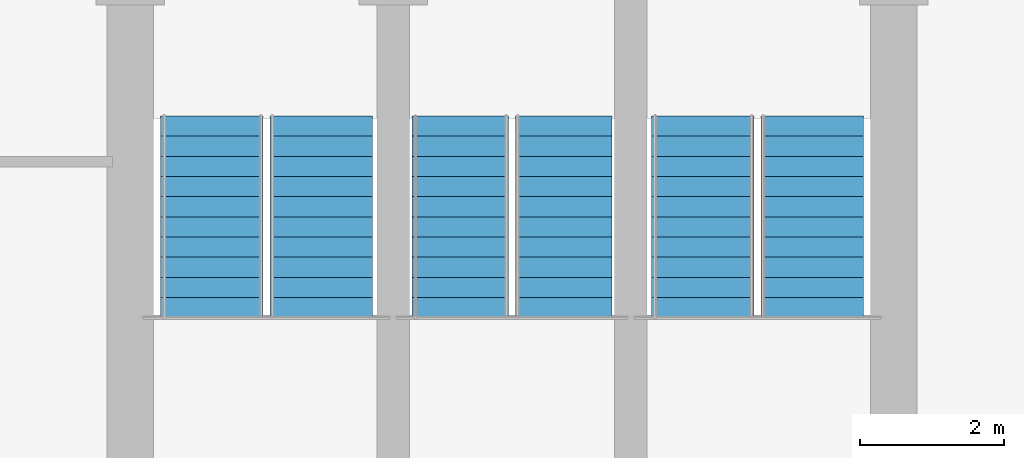
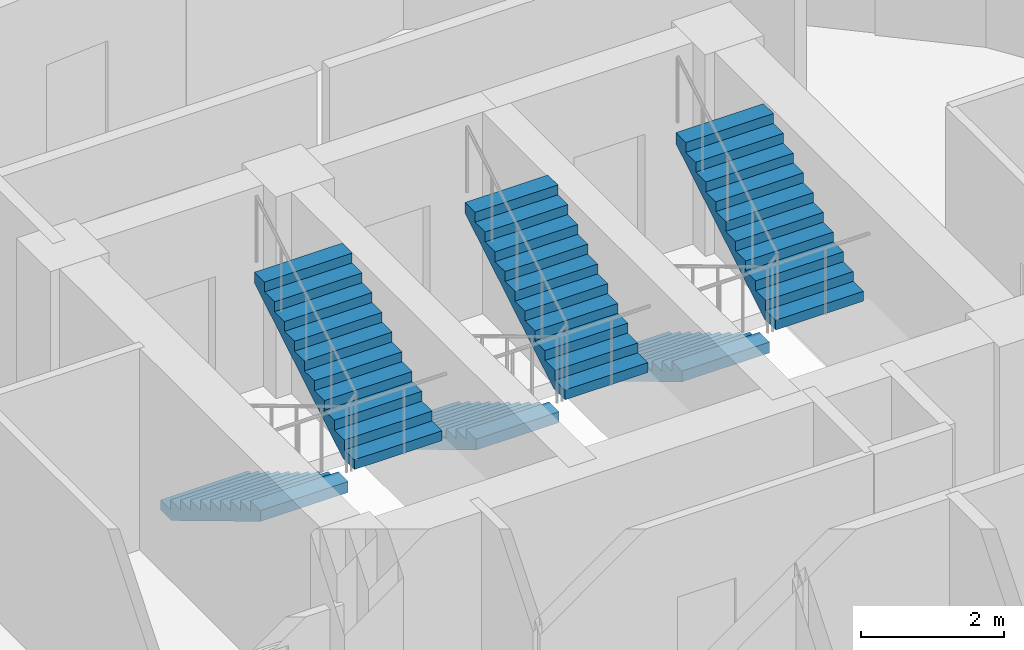
# One storey, part 25 of 26: 6 stair flights, 3 elements without a shape of their own.
"""IFC4 building model written with IfcOpenShell, lengths in metres."""

import ifcopenshell
import ifcopenshell.guid

model = None  # the IFC model being written
_history = None  # IfcOwnerHistory: only IFC2X3 demands one
_inside = {}  # id of a spatial element -> (the spatial element, [elements in it])
_under = {}  # id of a project, library or spatial element -> (it, [spatial elements below it])
_declared = {}  # id of a project -> (the project, [libraries it declares])
_typed = {}  # id of a type object -> (the type object, [elements of that type])
_made_of = {}  # id of a material, layer set ... -> (it, [elements and type objects made of it])


def new_model(schema):
    """Start an empty IFC model of exactly this schema.

    Asked for "IFC4X3", IfcOpenShell would pick the latest addendum, in which some entities
    have other attributes; the version numbers below select the first issue.
    IFC2X3 requires an IfcOwnerHistory on every rooted entity: one is made here for all.
    """
    global model, _history
    if schema == "IFC4X3":
        model = ifcopenshell.file(schema_version=(4, 3, 0, 0))
    else:
        model = ifcopenshell.file(schema=schema)
    _inside.clear()
    _under.clear()
    _declared.clear()
    _typed.clear()
    _made_of.clear()
    _history = None
    if model.schema == "IFC2X3":
        org = make("IfcOrganization", Name="unknown")
        user = make(
            "IfcPersonAndOrganization",
            ThePerson=make("IfcPerson", FamilyName="unknown"),
            TheOrganization=org,
        )
        app = make(
            "IfcApplication",
            ApplicationDeveloper=org,
            Version="unknown",
            ApplicationFullName="unknown",
            ApplicationIdentifier="unknown",
        )
        _history = make(
            "IfcOwnerHistory",
            OwningUser=user,
            OwningApplication=app,
            ChangeAction="ADDED",
            CreationDate=0,
        )
    return model


def make(cls, **values):
    """One entity of the class cls with the attributes given. An attribute that is None is left unset."""
    return model.create_entity(
        cls, **{name: value for name, value in values.items() if value is not None}
    )


def rooted(cls, **values):
    """An entity with a GlobalId (a new one), such as an element, a storey or a relation."""
    return make(cls, GlobalId=ifcopenshell.guid.new(), OwnerHistory=_history, **values)


def si_unit(unit_type, name, prefix=None):
    """IfcSIUnit, for example si_unit("LENGTHUNIT", "METRE", prefix="MILLI")."""
    return make("IfcSIUnit", UnitType=unit_type, Prefix=prefix, Name=name)


def assignment(units):
    """IfcUnitAssignment: the units of a project."""
    return None if units is None else make("IfcUnitAssignment", Units=units)


def point(xyz):
    """IfcCartesianPoint."""
    return None if xyz is None else make("IfcCartesianPoint", Coordinates=xyz)


def direction(xyz):
    """IfcDirection."""
    return None if xyz is None else make("IfcDirection", DirectionRatios=xyz)


def frame(location, z_axis=None, x_axis=None):
    """IfcAxis2Placement3D, a coordinate frame: its origin and axes. An axis left out is left unset."""
    return make(
        "IfcAxis2Placement3D",
        Location=point(location),
        Axis=direction(z_axis),
        RefDirection=direction(x_axis),
    )


def origin():
    """The frame at (0, 0, 0) with its axes left unset."""
    return frame((0.0, 0.0, 0.0))


def place(relative_to, where):
    """IfcLocalPlacement: puts the frame where relative to a parent placement (None: the world)."""
    return make(
        "IfcLocalPlacement", PlacementRelTo=relative_to, RelativePlacement=where
    )


def context(
    kind, dimensions, precision=None, world=None, true_north=None, identifier=None
):
    """IfcGeometricRepresentationContext, for example the 3D "Model" context."""
    return make(
        "IfcGeometricRepresentationContext",
        ContextIdentifier=identifier,
        ContextType=kind,
        CoordinateSpaceDimension=dimensions,
        Precision=precision,
        WorldCoordinateSystem=world,
        TrueNorth=true_north,
    )


def subcontext(parent, identifier, kind, view, scale=None):
    """IfcGeometricRepresentationSubContext, for example "Body" below "Model"."""
    return make(
        "IfcGeometricRepresentationSubContext",
        ContextIdentifier=identifier,
        ContextType=kind,
        ParentContext=parent,
        TargetScale=scale,
        TargetView=view,
    )


def project(units=None, contexts=None):
    """IfcProject with its units and contexts."""
    return rooted(
        "IfcProject",
        Name="project",
        RepresentationContexts=contexts,
        UnitsInContext=assignment(units),
    )


def spatial(cls, under=None, at=None, **own):
    """A site, building, storey or space (cls), placed at a placement, below another one or the project."""
    s = rooted(cls, ObjectPlacement=at, **own)
    if under is not None:
        _under.setdefault(under.id(), (under, []))[1].append(s)
    return s


def polyline(points):
    """IfcPolyline through the points."""
    return make("IfcPolyline", Points=[point(p) for p in points])


def outline(outer, holes=None, kind="AREA"):
    """IfcArbitraryClosedProfileDef: a profile drawn as a closed curve; with holes, ...WithVoids."""
    if holes is None:
        return make("IfcArbitraryClosedProfileDef", ProfileType=kind, OuterCurve=outer)
    return make(
        "IfcArbitraryProfileDefWithVoids",
        ProfileType=kind,
        OuterCurve=outer,
        InnerCurves=holes,
    )


def extrude(swept, where, along, depth):
    """IfcExtrudedAreaSolid: the profile swept, set in the frame where, extruded along a direction by depth."""
    return make(
        "IfcExtrudedAreaSolid",
        SweptArea=swept,
        Position=where,
        ExtrudedDirection=direction(along),
        Depth=depth,
    )


def shape(context_of_items, identifier, shape_type, items):
    """IfcShapeRepresentation: the items that make up one representation, for example the "Body"."""
    return make(
        "IfcShapeRepresentation",
        ContextOfItems=context_of_items,
        RepresentationIdentifier=identifier,
        RepresentationType=shape_type,
        Items=items,
    )


def material(Name=None, Category=None):
    """IfcMaterial."""
    return make("IfcMaterial", Name=Name, Category=Category)


def made_of(thing, what):
    """Note that an element or type object is made of a material, layer set ...; save() writes the relation."""
    if what is not None:
        _made_of.setdefault(what.id(), (what, []))[1].append(thing)
    return thing


def type_object(cls, material=None, **own):
    """A type object (cls), such as IfcWallType, which elements share."""
    return made_of(rooted(cls, **own), material)


def element(
    cls,
    number,
    at=None,
    inside=None,
    cuts=None,
    type_object=None,
    material=None,
    context=None,
    identifier="Body",
    shape_type=None,
    held_by="IfcProductDefinitionShape",
    body=None,
    shapes=None,
    **own,
):
    """One element of the class cls, such as IfcWall. Its Tag is "e" and its number.

    at: its placement. inside: the storey or other place that contains it. cuts: it is an
    opening in that element (IfcRelVoidsElement). A single representation is given by context,
    identifier, shape_type and body (its items); several are given by shapes. held_by: the class
    of the entity that holds the representations. save() writes the other relations.
    """
    e = rooted(cls, Tag="e%d" % number, ObjectPlacement=at, **own)
    if body is not None:
        shapes = [shape(context, identifier, shape_type, body)]
    if shapes is not None:
        e.Representation = make(held_by, Representations=shapes)
    if inside is not None:
        _inside.setdefault(inside.id(), (inside, []))[1].append(e)
    if cuts is not None:
        rooted(
            "IfcRelVoidsElement", RelatingBuildingElement=cuts, RelatedOpeningElement=e
        )
    if type_object is not None:
        _typed.setdefault(type_object.id(), (type_object, []))[1].append(e)
    return made_of(e, material)


def aggregate(whole, parts):
    """IfcRelAggregates: a whole, such as a stair, and the parts it consists of."""
    return rooted("IfcRelAggregates", RelatingObject=whole, RelatedObjects=parts)


def save(model, path):
    """Write the relations noted so far, then the file.

    IfcRelAggregates (storeys below a building ...), IfcRelContainedInSpatialStructure (elements
    in a storey), IfcRelDefinesByType, IfcRelAssociatesMaterial and IfcRelDeclares: one each for
    every whole, place, type object, material and project.
    """
    for whole, parts in _under.values():
        aggregate(whole, parts)
    for where, things in _inside.values():
        rooted(
            "IfcRelContainedInSpatialStructure",
            RelatedElements=things,
            RelatingStructure=where,
        )
    for kind, things in _typed.values():
        rooted("IfcRelDefinesByType", RelatedObjects=things, RelatingType=kind)
    for what, things in _made_of.values():
        rooted("IfcRelAssociatesMaterial", RelatedObjects=things, RelatingMaterial=what)
    for by, libraries in _declared.values():
        rooted("IfcRelDeclares", RelatingContext=by, RelatedDefinitions=libraries)
    model.write(path)


model = new_model("IFC4")

# Units and contexts
model_context = context("Model", 3, precision=1e-05, world=origin(), true_north=direction((0.0, 1.0)))
body_context = subcontext(model_context, "Body", "Model", "MODEL_VIEW")
ifc_project = project(units=[si_unit("LENGTHUNIT", "METRE"), si_unit("AREAUNIT", "SQUARE_METRE"), si_unit("VOLUMEUNIT", "CUBIC_METRE"), si_unit("PLANEANGLEUNIT", "RADIAN"), si_unit("MASSUNIT", "GRAM", prefix="KILO")], contexts=[model_context])

# Site, building, storey
site_placement = place(None, origin())
site = spatial("IfcSite", under=ifc_project, at=site_placement, CompositionType="ELEMENT")
building_placement = place(site_placement, origin())
building = spatial("IfcBuilding", under=site, at=building_placement, Name="Nuhasar Tower", CompositionType="ELEMENT")
storey_placement = place(building_placement, frame((0.0, 0.0, 151.550048828125)))
storey = spatial("IfcBuildingStorey", under=building, at=storey_placement, Name="L36", CompositionType="ELEMENT", Elevation=151.550048828125)

# Stair, stair flights
ifc_material = material(Name="Concrete C45/55", Category="concrete")
stair_type_1 = type_object("IfcStairType", Name="STR-ST-01-2F-22R-1682", PredefinedType="HALF_TURN_STAIR", material=ifc_material)
stair_1_placement = place(storey_placement, origin())
stair_1 = element("IfcStair", 1, at=stair_1_placement, inside=storey, type_object=stair_type_1, Name="L36 Exit Stair ST-01", PredefinedType="HALF_TURN_STAIR")
stair_flight_type_1 = type_object("IfcStairFlightType", Name="SFL-ST-01-11R-1682", PredefinedType="STRAIGHT", material=ifc_material)
stair_flight_1_placement = place(storey_placement, frame((34.830078125, 35.284912109375, 0.0), z_axis=(0.0, 0.0, 1.0), x_axis=(0.0, -1.0, 0.0)))
stair_flight_1 = element("IfcStairFlight", 2, at=stair_flight_1_placement, type_object=stair_flight_type_1, Name="ST-01 flight 1", NumberOfRisers=11, NumberOfTreads=10, PredefinedType="STRAIGHT", RiserHeight=0.168182, TreadLength=0.28, context=body_context, shape_type="SweptSolid", body=[
    extrude(outline(polyline([(0.0, 0.0), (0.0, 0.168212890625), (0.280029296875, 0.168212890625), (0.280029296875, 0.33642578125), (0.56005859375, 0.33642578125), (0.56005859375, 0.504638671875), (0.840087890625, 0.504638671875), (0.840087890625, 0.672607421875), (1.1201171875, 0.672607421875), (1.1201171875, 0.8408203125), (1.39990234375, 0.8408203125), (1.39990234375, 1.009033203125), (1.679931640625, 1.009033203125), (1.679931640625, 1.17724609375), (1.9599609375, 1.17724609375), (1.9599609375, 1.345458984375), (2.239990234375, 1.345458984375), (2.239990234375, 1.513671875), (2.52001953125, 1.513671875), (2.52001953125, 1.681884765625), (2.800048828125, 1.681884765625), (2.800048828125, 1.85009765625), (2.800048828125, 1.495361328125), (0.310546875, 0.0), (0.0, 0.0)])), frame((0.0, 0.7099609375, 0.0), z_axis=(0.0, -1.0, 0.0), x_axis=(1.0, 0.0, 0.0)), (0.0, 0.0, 1.0), 1.419921875),
])
stair_flight_2_placement = place(storey_placement, frame((36.35009765625, 32.485107421875, 1.849853515625), z_axis=(0.0, 0.0, 1.0), x_axis=(0.0, 1.0, 0.0)))
stair_flight_2 = element("IfcStairFlight", 3, at=stair_flight_2_placement, type_object=stair_flight_type_1, Name="ST-01 flight 2", NumberOfRisers=11, NumberOfTreads=10, PredefinedType="STRAIGHT", RiserHeight=0.168182, TreadLength=0.28, context=body_context, shape_type="SweptSolid", body=[
    extrude(outline(polyline([(0.0, 0.0), (0.0, 0.168212890625), (0.280029296875, 0.168212890625), (0.280029296875, 0.33642578125), (0.56005859375, 0.33642578125), (0.56005859375, 0.504638671875), (0.840087890625, 0.504638671875), (0.840087890625, 0.672607421875), (1.1201171875, 0.672607421875), (1.1201171875, 0.8408203125), (1.39990234375, 0.8408203125), (1.39990234375, 1.009033203125), (1.679931640625, 1.009033203125), (1.679931640625, 1.17724609375), (1.9599609375, 1.17724609375), (1.9599609375, 1.345458984375), (2.239990234375, 1.345458984375), (2.239990234375, 1.513671875), (2.52001953125, 1.513671875), (2.52001953125, 1.681884765625), (2.800048828125, 1.681884765625), (2.800048828125, 1.85009765625), (2.800048828125, 1.495361328125), (0.310546875, 0.0), (0.0, 0.0)])), frame((0.0, 0.7099609375, 0.0), z_axis=(0.0, -1.0, 0.0), x_axis=(1.0, 0.0, 0.0)), (0.0, 0.0, 1.0), 1.419921875),
])
aggregate(stair_1, [stair_flight_1, stair_flight_2])

stair_type_2 = type_object("IfcStairType", Name="STR-ST-02-2F-22R-1682", PredefinedType="HALF_TURN_STAIR", material=ifc_material)
stair_2_placement = place(storey_placement, origin())
stair_2 = element("IfcStair", 4, at=stair_2_placement, inside=storey, type_object=stair_type_2, Name="L36 Exit Stair ST-02", PredefinedType="HALF_TURN_STAIR")
stair_flight_type_2 = type_object("IfcStairFlightType", Name="SFL-ST-02-11R-1682", PredefinedType="STRAIGHT", material=ifc_material)
stair_flight_3_placement = place(storey_placement, frame((41.64990234375, 35.284912109375, 0.0), z_axis=(0.0, 0.0, 1.0), x_axis=(0.0, -1.0, 0.0)))
stair_flight_3 = element("IfcStairFlight", 5, at=stair_flight_3_placement, type_object=stair_flight_type_2, Name="ST-02 flight 1", NumberOfRisers=11, NumberOfTreads=10, PredefinedType="STRAIGHT", RiserHeight=0.168182, TreadLength=0.28, context=body_context, shape_type="SweptSolid", body=[
    extrude(outline(polyline([(0.0, 0.0), (0.0, 0.168212890625), (0.280029296875, 0.168212890625), (0.280029296875, 0.33642578125), (0.56005859375, 0.33642578125), (0.56005859375, 0.504638671875), (0.840087890625, 0.504638671875), (0.840087890625, 0.672607421875), (1.1201171875, 0.672607421875), (1.1201171875, 0.8408203125), (1.39990234375, 0.8408203125), (1.39990234375, 1.009033203125), (1.679931640625, 1.009033203125), (1.679931640625, 1.17724609375), (1.9599609375, 1.17724609375), (1.9599609375, 1.345458984375), (2.239990234375, 1.345458984375), (2.239990234375, 1.513671875), (2.52001953125, 1.513671875), (2.52001953125, 1.681884765625), (2.800048828125, 1.681884765625), (2.800048828125, 1.85009765625), (2.800048828125, 1.495361328125), (0.310546875, 0.0), (0.0, 0.0)])), frame((0.0, 0.7099609375, 0.0), z_axis=(0.0, -1.0, 0.0), x_axis=(1.0, 0.0, 0.0)), (0.0, 0.0, 1.0), 1.419921875),
])
stair_flight_4_placement = place(storey_placement, frame((43.169921875, 32.485107421875, 1.849853515625), z_axis=(0.0, 0.0, 1.0), x_axis=(0.0, 1.0, 0.0)))
stair_flight_4 = element("IfcStairFlight", 6, at=stair_flight_4_placement, type_object=stair_flight_type_2, Name="ST-02 flight 2", NumberOfRisers=11, NumberOfTreads=10, PredefinedType="STRAIGHT", RiserHeight=0.168182, TreadLength=0.28, context=body_context, shape_type="SweptSolid", body=[
    extrude(outline(polyline([(0.0, 0.0), (0.0, 0.168212890625), (0.280029296875, 0.168212890625), (0.280029296875, 0.33642578125), (0.56005859375, 0.33642578125), (0.56005859375, 0.504638671875), (0.840087890625, 0.504638671875), (0.840087890625, 0.672607421875), (1.1201171875, 0.672607421875), (1.1201171875, 0.8408203125), (1.39990234375, 0.8408203125), (1.39990234375, 1.009033203125), (1.679931640625, 1.009033203125), (1.679931640625, 1.17724609375), (1.9599609375, 1.17724609375), (1.9599609375, 1.345458984375), (2.239990234375, 1.345458984375), (2.239990234375, 1.513671875), (2.52001953125, 1.513671875), (2.52001953125, 1.681884765625), (2.800048828125, 1.681884765625), (2.800048828125, 1.85009765625), (2.800048828125, 1.495361328125), (0.310546875, 0.0), (0.0, 0.0)])), frame((0.0, 0.7099609375, 0.0), z_axis=(0.0, -1.0, 0.0), x_axis=(1.0, 0.0, 0.0)), (0.0, 0.0, 1.0), 1.419921875),
])
aggregate(stair_2, [stair_flight_3, stair_flight_4])

stair_type_3 = type_object("IfcStairType", Name="STR-ST-03-2F-22R-1682", PredefinedType="HALF_TURN_STAIR", material=ifc_material)
stair_3_placement = place(storey_placement, origin())
stair_3 = element("IfcStair", 7, at=stair_3_placement, inside=storey, type_object=stair_type_3, Name="L36 Exit Stair ST-03", PredefinedType="HALF_TURN_STAIR")
stair_flight_type_3 = type_object("IfcStairFlightType", Name="SFL-ST-03-11R-1682", PredefinedType="STRAIGHT", material=ifc_material)
stair_flight_5_placement = place(storey_placement, frame((38.280029296875, 35.284912109375, 0.0), z_axis=(0.0, 0.0, 1.0), x_axis=(0.0, -1.0, 0.0)))
stair_flight_5 = element("IfcStairFlight", 8, at=stair_flight_5_placement, type_object=stair_flight_type_3, Name="ST-03 flight 1", NumberOfRisers=11, NumberOfTreads=10, PredefinedType="STRAIGHT", RiserHeight=0.168182, TreadLength=0.28, context=body_context, shape_type="SweptSolid", body=[
    extrude(outline(polyline([(0.0, 0.0), (0.0, 0.168212890625), (0.280029296875, 0.168212890625), (0.280029296875, 0.33642578125), (0.56005859375, 0.33642578125), (0.56005859375, 0.504638671875), (0.840087890625, 0.504638671875), (0.840087890625, 0.672607421875), (1.1201171875, 0.672607421875), (1.1201171875, 0.8408203125), (1.39990234375, 0.8408203125), (1.39990234375, 1.009033203125), (1.679931640625, 1.009033203125), (1.679931640625, 1.17724609375), (1.9599609375, 1.17724609375), (1.9599609375, 1.345458984375), (2.239990234375, 1.345458984375), (2.239990234375, 1.513671875), (2.52001953125, 1.513671875), (2.52001953125, 1.681884765625), (2.800048828125, 1.681884765625), (2.800048828125, 1.85009765625), (2.800048828125, 1.495361328125), (0.310546875, 0.0), (0.0, 0.0)])), frame((0.0, 0.669921875, 0.0), z_axis=(0.0, -1.0, 0.0), x_axis=(1.0, 0.0, 0.0)), (0.0, 0.0, 1.0), 1.340087890625),
])
stair_flight_6_placement = place(storey_placement, frame((39.719970703125, 32.485107421875, 1.849853515625), z_axis=(0.0, 0.0, 1.0), x_axis=(0.0, 1.0, 0.0)))
stair_flight_6 = element("IfcStairFlight", 9, at=stair_flight_6_placement, type_object=stair_flight_type_3, Name="ST-03 flight 2", NumberOfRisers=11, NumberOfTreads=10, PredefinedType="STRAIGHT", RiserHeight=0.168182, TreadLength=0.28, context=body_context, shape_type="SweptSolid", body=[
    extrude(outline(polyline([(0.0, 0.0), (0.0, 0.168212890625), (0.280029296875, 0.168212890625), (0.280029296875, 0.33642578125), (0.56005859375, 0.33642578125), (0.56005859375, 0.504638671875), (0.840087890625, 0.504638671875), (0.840087890625, 0.672607421875), (1.1201171875, 0.672607421875), (1.1201171875, 0.8408203125), (1.39990234375, 0.8408203125), (1.39990234375, 1.009033203125), (1.679931640625, 1.009033203125), (1.679931640625, 1.17724609375), (1.9599609375, 1.17724609375), (1.9599609375, 1.345458984375), (2.239990234375, 1.345458984375), (2.239990234375, 1.513671875), (2.52001953125, 1.513671875), (2.52001953125, 1.681884765625), (2.800048828125, 1.681884765625), (2.800048828125, 1.85009765625), (2.800048828125, 1.495361328125), (0.310546875, 0.0), (0.0, 0.0)])), frame((0.0, 0.669921875, 0.0), z_axis=(0.0, -1.0, 0.0), x_axis=(1.0, 0.0, 0.0)), (0.0, 0.0, 1.0), 1.340087890625),
])
aggregate(stair_3, [stair_flight_5, stair_flight_6])

save(model, "model.ifc")
